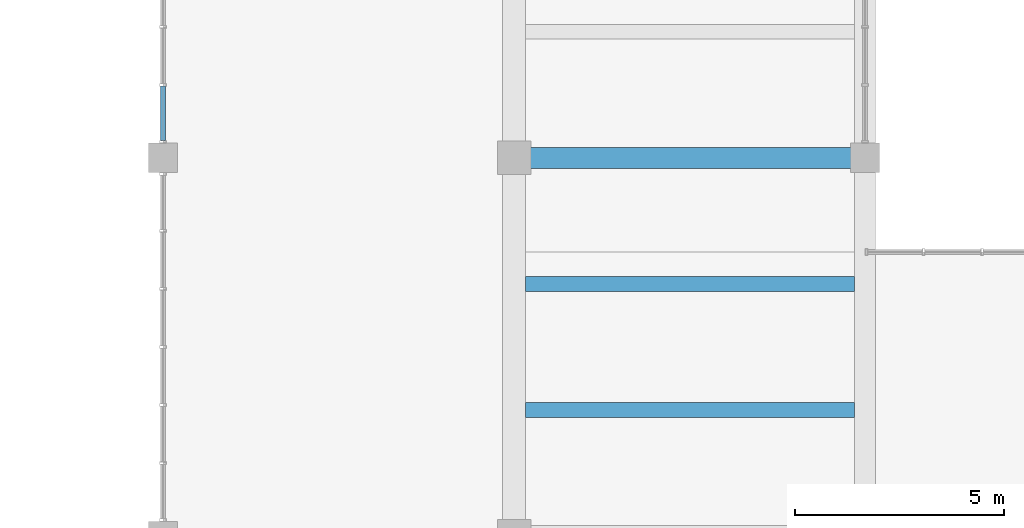
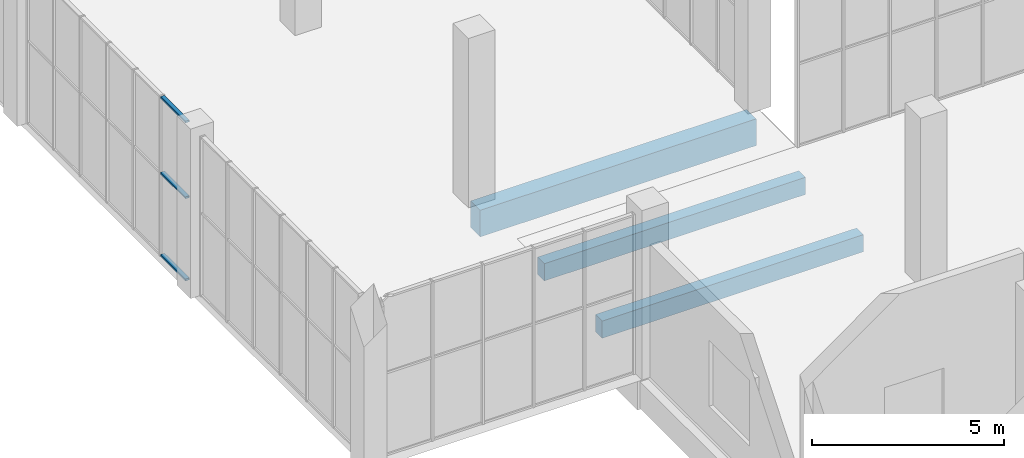
# One storey, part 9 of 91: 3 beams, 3 members, 1 element without a shape of its own.
"""IFC4 building model written with IfcOpenShell, lengths in metres."""

from ifc_helpers import new_model, si_unit, direction, frame, origin, origin_2d, place, context, subcontext, project, spatial, rectangle, hollow_rectangle, extrude, material, material_profile, profile_set, type_object, element, aggregate, save


model = new_model("IFC4")

# Units and contexts
model_context = context("Model", 3, precision=1e-05, world=origin(), true_north=direction((0.0, 1.0)))
body_context = subcontext(model_context, "Body", "Model", "MODEL_VIEW")
ifc_project = project(units=[si_unit("LENGTHUNIT", "METRE"), si_unit("AREAUNIT", "SQUARE_METRE"), si_unit("VOLUMEUNIT", "CUBIC_METRE"), si_unit("PLANEANGLEUNIT", "RADIAN"), si_unit("MASSUNIT", "GRAM", prefix="KILO")], contexts=[model_context])

# Site, building, storey
site_placement = place(None, origin())
site = spatial("IfcSite", under=ifc_project, at=site_placement, CompositionType="ELEMENT")
building_placement = place(site_placement, origin())
building = spatial("IfcBuilding", under=site, at=building_placement, Name="Khurvash Pelagic Aquarium", CompositionType="ELEMENT")
storey_placement = place(building_placement, origin())
storey = spatial("IfcBuildingStorey", under=building, at=storey_placement, Name="L00", CompositionType="ELEMENT", Elevation=0.0)

# Beam
ifc_material_1 = material(Name="Concrete C40/50", Category="concrete")
ifc_material_profile_1 = material_profile(ifc_material_1, rectangle(XDim=0.5, YDim=0.85009765625, at=origin_2d()), Name="RC500X850")
ifc_profile_set_1 = profile_set([ifc_material_profile_1], Name="Concrete C40/50")
beam_type_1 = type_object("IfcBeamType", Name="BM-03", PredefinedType="BEAM", material=ifc_profile_set_1)
beam_placement = place(storey_placement, frame((25.239990234375, 38.800048828125, -0.7451171875), z_axis=(1.0, 0.0, 0.0), x_axis=(0.0, 1.0, 0.0)))
element("IfcBeam", 1, at=beam_placement, inside=storey, type_object=beam_type_1, Name="L00 Primary Girder BM-03 00042", PredefinedType="BEAM", context=body_context, shape_type="SweptSolid", body=[
    extrude(rectangle(XDim=0.5, YDim=0.85009765625, at=origin_2d()), origin(), (0.0, 0.0, 1.0), 8.320068359375),
])

# Curtain wall, members
ifc_material_2 = material(Name="Anodised aluminium and low-E laminated glass", Category="aluminium")
curtain_wall_type = type_object("IfcCurtainWallType", Name="CW-05", PredefinedType="USERDEFINED", material=ifc_material_2)
curtain_wall_placement = place(storey_placement, origin())
curtain_wall = element("IfcCurtainWall", 2, at=curtain_wall_placement, inside=storey, type_object=curtain_wall_type, Name="L00 Facade Unitised Curtain Wall CW-05 0072", ObjectType="UNITISED CURTAIN WALL", PredefinedType="USERDEFINED")
ifc_material_3 = material(Name="Extruded aluminium AW-6063-T6", Category="aluminium")
ifc_material_profile_2 = material_profile(ifc_material_3, hollow_rectangle(XDim=0.1201171875, YDim=0.06005859375, WallThickness=0.00390625, at=origin_2d()), Name="CWT120X60X4")
ifc_profile_set_2 = profile_set([ifc_material_profile_2], Name="Extruded aluminium AW-6063-T6")
member_type = type_object("IfcMemberType", Name="CT-02", PredefinedType="USERDEFINED", material=ifc_profile_set_2)
member_1_placement = place(storey_placement, frame((16.800048828125, 40.514892578125, 0.030029296875), z_axis=(0.0, -1.0, 0.0), x_axis=(1.0, 0.0, 0.0)))
member_1 = element("IfcMember", 3, at=member_1_placement, type_object=member_type, Name="CW-05 transom 6.1", ObjectType="TRANSOM", PredefinedType="USERDEFINED", context=body_context, shape_type="SweptSolid", body=[
    extrude(hollow_rectangle(XDim=0.1201171875, YDim=0.06005859375, WallThickness=0.00390625, at=origin_2d()), origin(), (0.0, 0.0, 1.0), 1.2998046875),
])
member_2_placement = place(storey_placement, frame((16.800048828125, 40.514892578125, 2.64697265625), z_axis=(0.0, -1.0, 0.0), x_axis=(1.0, 0.0, 0.0)))
member_2 = element("IfcMember", 4, at=member_2_placement, type_object=member_type, Name="CW-05 transom 6.2", ObjectType="TRANSOM", PredefinedType="USERDEFINED", context=body_context, shape_type="SweptSolid", body=[
    extrude(hollow_rectangle(XDim=0.1201171875, YDim=0.06005859375, WallThickness=0.00390625, at=origin_2d()), origin(), (0.0, 0.0, 1.0), 1.2998046875),
])
member_3_placement = place(storey_placement, frame((16.800048828125, 40.514892578125, 5.06005859375), z_axis=(0.0, -1.0, 0.0), x_axis=(1.0, 0.0, 0.0)))
member_3 = element("IfcMember", 5, at=member_3_placement, type_object=member_type, Name="CW-05 transom 6.3", ObjectType="TRANSOM", PredefinedType="USERDEFINED", context=body_context, shape_type="SweptSolid", body=[
    extrude(hollow_rectangle(XDim=0.1201171875, YDim=0.06005859375, WallThickness=0.00390625, at=origin_2d()), origin(), (0.0, 0.0, 1.0), 1.2998046875),
])
aggregate(curtain_wall, [member_1, member_2, member_3])

# Beams
ifc_material_4 = material(Name="Concrete C35/45", Category="concrete")
ifc_material_profile_3 = material_profile(ifc_material_4, rectangle(XDim=0.35009765625, YDim=0.550048828125, at=origin_2d()), Name="RC350X550")
ifc_profile_set_3 = profile_set([ifc_material_profile_3], Name="Concrete C35/45")
beam_type_2 = type_object("IfcBeamType", Name="JS-01", PredefinedType="JOIST", material=ifc_profile_set_3)
for number, where, z_axis, x_axis, name in (
    (6, (25.47509765625, 32.76708984375, -0.594970703125), (1.0, 0.0, 0.0), (0.0, 1.0, 0.0), "L00 Floor Joist JS-01 00157"),
    (7, (25.47509765625, 35.782958984375, -0.594970703125), (1.0, 0.0, 0.0), (0.0, 1.0, 0.0), "L00 Floor Joist JS-01 00158"),
):
    element("IfcBeam", number, at=place(storey_placement, frame(where, z_axis=z_axis, x_axis=x_axis)), inside=storey, type_object=beam_type_2, Name=name, PredefinedType="JOIST", context=body_context, shape_type="SweptSolid", body=[
        extrude(rectangle(XDim=0.35009765625, YDim=0.550048828125, at=origin_2d()), origin(), (0.0, 0.0, 1.0), 7.875),
    ])

save(model, "model.ifc")
